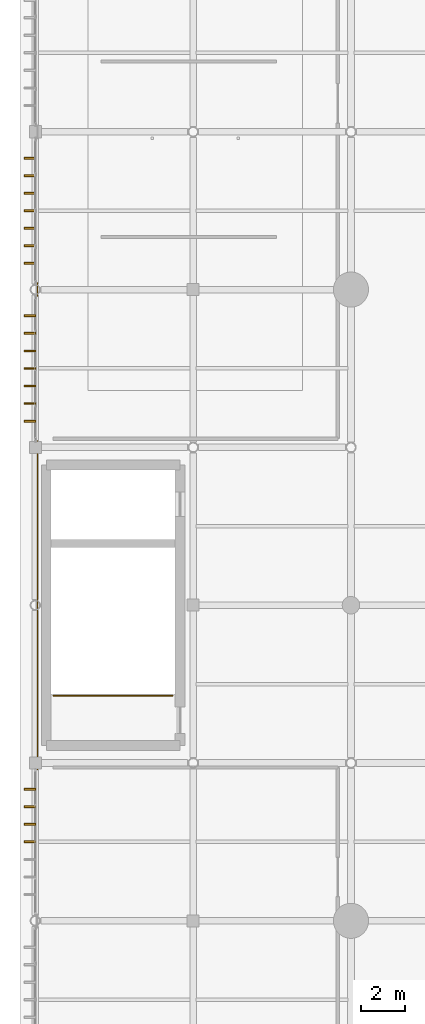
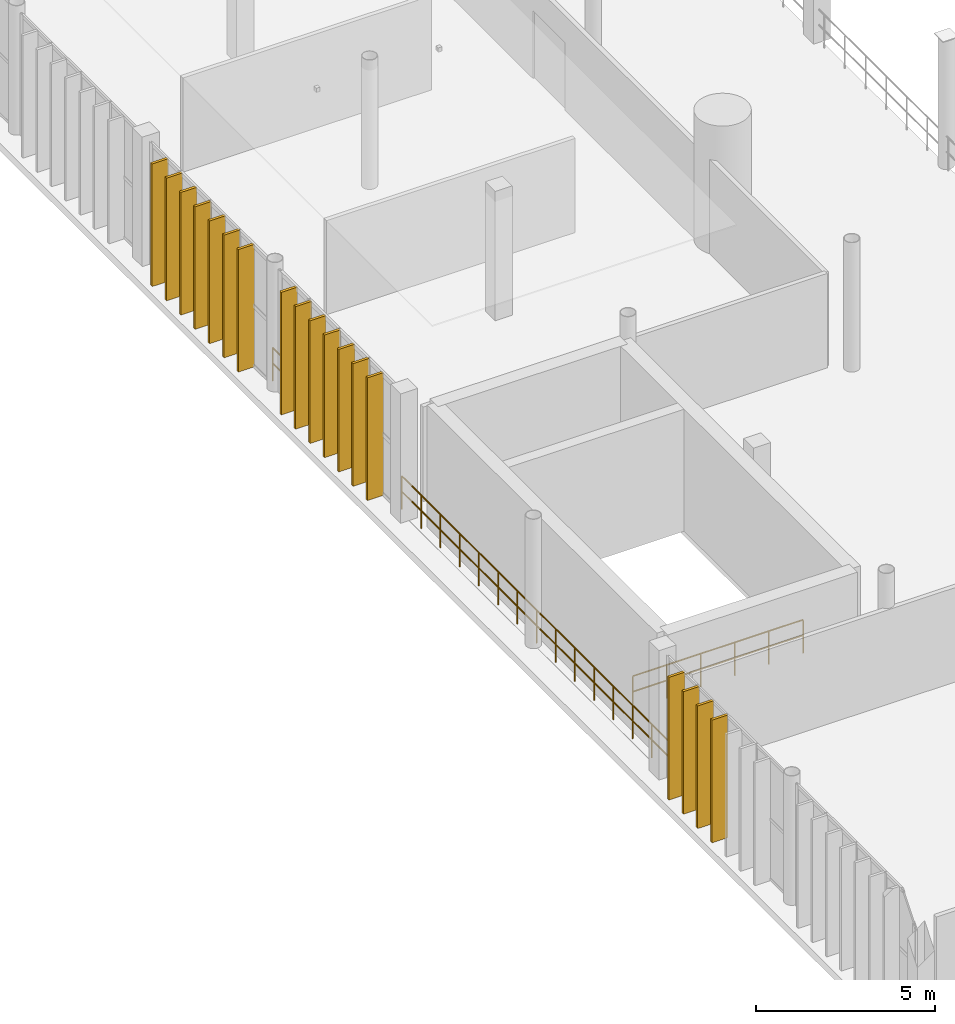
# One storey, part 69 of 81: 18 coverings, 3 railings.
"""IFC4 building model written with IfcOpenShell, lengths in metres."""

from ifc_helpers import new_model, si_unit, direction, frame, origin, origin_2d, place, context, subcontext, project, spatial, rectangle, circle, extrude, material, layer, layer_set, type_object, element, save


model = new_model("IFC4")

# Units and contexts
model_context = context("Model", 3, precision=1e-05, world=origin(), true_north=direction((0.0, 1.0)))
body_context = subcontext(model_context, "Body", "Model", "MODEL_VIEW")
ifc_project = project(units=[si_unit("LENGTHUNIT", "METRE"), si_unit("AREAUNIT", "SQUARE_METRE"), si_unit("VOLUMEUNIT", "CUBIC_METRE"), si_unit("PLANEANGLEUNIT", "RADIAN"), si_unit("MASSUNIT", "GRAM", prefix="KILO")], contexts=[model_context])

# Site, building, storey
site_placement = place(None, origin())
site = spatial("IfcSite", under=ifc_project, at=site_placement, CompositionType="ELEMENT")
building_placement = place(site_placement, origin())
building = spatial("IfcBuilding", under=site, at=building_placement, Name="Qandorah Velis Arena", CompositionType="ELEMENT")
storey_placement = place(building_placement, frame((0.0, 0.0, 18.60009765625)))
storey = spatial("IfcBuildingStorey", under=building, at=storey_placement, Name="L04", CompositionType="ELEMENT", Elevation=18.60009765625)

# Coverings
ifc_material_1 = material(Name="Champagne-bronze anodized aluminium 6063-T6", Category="aluminium")
ifc_layer = layer(ifc_material_1, 0.0849609375)
ifc_layer_set = layer_set([ifc_layer], Name="Champagne-bronze anodized aluminium 6063-T6")
covering_type = type_object("IfcCoveringType", Name="ARC-COV-FIN520", PredefinedType="CLADDING", material=ifc_layer_set)
for number, where, z_axis, x_axis, name in (
    (1, (-0.251953125, 32.39990234375, -0.010009765625), (0.0, 0.0, 1.0), (1.0, 0.0, 0.0), "Vertical champagne-bronze solar fin blade WNG-W-L04-04-004"),
    (2, (-0.251953125, 33.199951171875, -0.010009765625), (0.0, 0.0, 1.0), (1.0, 0.0, 0.0), "Vertical champagne-bronze solar fin blade WNG-W-L04-04-005"),
    (3, (-0.251953125, 34.0, -0.010009765625), (0.0, 0.0, 1.0), (1.0, 0.0, 0.0), "Vertical champagne-bronze solar fin blade WNG-W-L04-04-006"),
    (4, (-0.251953125, 34.800048828125, -0.010009765625), (0.0, 0.0, 1.0), (1.0, 0.0, 0.0), "Vertical champagne-bronze solar fin blade WNG-W-L04-04-007"),
    (5, (-0.251953125, 51.60009765625, -0.010009765625), (0.0, 0.0, 1.0), (1.0, 0.0, 0.0), "Vertical champagne-bronze solar fin blade WNG-W-L04-07-001"),
    (6, (-0.251953125, 52.39990234375, -0.010009765625), (0.0, 0.0, 1.0), (1.0, 0.0, 0.0), "Vertical champagne-bronze solar fin blade WNG-W-L04-07-002"),
    (7, (-0.251953125, 53.199951171875, -0.010009765625), (0.0, 0.0, 1.0), (1.0, 0.0, 0.0), "Vertical champagne-bronze solar fin blade WNG-W-L04-07-003"),
    (8, (-0.251953125, 54.0, -0.010009765625), (0.0, 0.0, 1.0), (1.0, 0.0, 0.0), "Vertical champagne-bronze solar fin blade WNG-W-L04-07-004"),
    (9, (-0.251953125, 54.800048828125, -0.010009765625), (0.0, 0.0, 1.0), (1.0, 0.0, 0.0), "Vertical champagne-bronze solar fin blade WNG-W-L04-07-005"),
    (10, (-0.251953125, 55.60009765625, -0.010009765625), (0.0, 0.0, 1.0), (1.0, 0.0, 0.0), "Vertical champagne-bronze solar fin blade WNG-W-L04-07-006"),
    (11, (-0.251953125, 56.39990234375, -0.010009765625), (0.0, 0.0, 1.0), (1.0, 0.0, 0.0), "Vertical champagne-bronze solar fin blade WNG-W-L04-07-007"),
    (12, (-0.251953125, 58.800048828125, -0.010009765625), (0.0, 0.0, 1.0), (1.0, 0.0, 0.0), "Vertical champagne-bronze solar fin blade WNG-W-L04-08-001"),
    (13, (-0.251953125, 59.60009765625, -0.010009765625), (0.0, 0.0, 1.0), (1.0, 0.0, 0.0), "Vertical champagne-bronze solar fin blade WNG-W-L04-08-002"),
    (14, (-0.251953125, 60.39990234375, -0.010009765625), (0.0, 0.0, 1.0), (1.0, 0.0, 0.0), "Vertical champagne-bronze solar fin blade WNG-W-L04-08-003"),
    (15, (-0.251953125, 61.199951171875, -0.010009765625), (0.0, 0.0, 1.0), (1.0, 0.0, 0.0), "Vertical champagne-bronze solar fin blade WNG-W-L04-08-004"),
    (16, (-0.251953125, 62.0, -0.010009765625), (0.0, 0.0, 1.0), (1.0, 0.0, 0.0), "Vertical champagne-bronze solar fin blade WNG-W-L04-08-005"),
    (17, (-0.251953125, 62.800048828125, -0.010009765625), (0.0, 0.0, 1.0), (1.0, 0.0, 0.0), "Vertical champagne-bronze solar fin blade WNG-W-L04-08-006"),
    (18, (-0.251953125, 63.60009765625, -0.010009765625), (0.0, 0.0, 1.0), (1.0, 0.0, 0.0), "Vertical champagne-bronze solar fin blade WNG-W-L04-08-007"),
):
    element("IfcCovering", number, at=place(storey_placement, frame(where, z_axis=z_axis, x_axis=x_axis)), inside=storey, type_object=covering_type, Name=name, PredefinedType="CLADDING", context=body_context, shape_type="SweptSolid", body=[
        extrude(rectangle(XDim=0.52001953125, YDim=0.0849609375, at=origin_2d()), origin(), (0.0, 0.0, 1.0), 4.169921875),
    ])

# Railings
ifc_material_2 = material(Name="Stainless steel 316", Category="steel")
railing_type = type_object("IfcRailingType", Name="ARC-RL-GRD1150", PredefinedType="GUARDRAIL", material=ifc_material_2)
railing_1_placement = place(storey_placement, frame((0.81005859375, 39.070068359375, 0.0)))
element("IfcRailing", 19, at=railing_1_placement, inside=storey, type_object=railing_type, Name="Stair ST5 top well guardrail L04", PredefinedType="GUARDRAIL", context=body_context, shape_type="SweptSolid", body=[
    extrude(circle(Radius=0.02392578125, at=origin_2d()), frame((0.0, 0.0, 1.1259765625), z_axis=(1.0, 0.0, 0.0), x_axis=(0.0, 1.0, 0.0)), (0.0, 0.0, 1.0), 5.47998046875),
    extrude(circle(Radius=0.02392578125, at=origin_2d()), frame((0.0, 0.0, 0.597900390625), z_axis=(1.0, 0.0, 0.0), x_axis=(0.0, 1.0, 0.0)), (0.0, 0.0, 1.0), 5.47998046875),
    extrude(circle(Radius=0.02099609375, at=origin_2d()), origin(), (0.0, 0.0, 1.0), 1.101806640625),
    extrude(circle(Radius=0.02099609375, at=origin_2d()), frame((1.095947265625, 0.0, 0.0)), (0.0, 0.0, 1.0), 1.101806640625),
    extrude(circle(Radius=0.02099609375, at=origin_2d()), frame((2.19189453125, 0.0, 0.0)), (0.0, 0.0, 1.0), 1.101806640625),
    extrude(circle(Radius=0.02099609375, at=origin_2d()), frame((3.2880859375, 0.0, 0.0)), (0.0, 0.0, 1.0), 1.101806640625),
    extrude(circle(Radius=0.02099609375, at=origin_2d()), frame((4.384033203125, 0.0, 0.0)), (0.0, 0.0, 1.0), 1.101806640625),
    extrude(circle(Radius=0.02099609375, at=origin_2d()), frame((5.47998046875, 0.0, 0.0)), (0.0, 0.0, 1.0), 1.101806640625),
])
railing_2_placement = place(storey_placement, frame((0.10009765625, 35.699951171875, 0.0)))
element("IfcRailing", 20, at=railing_2_placement, inside=storey, type_object=railing_type, Name="Slab edge safety guardrail L04-240", PredefinedType="GUARDRAIL", context=body_context, shape_type="SweptSolid", body=[
    extrude(circle(Radius=0.02392578125, at=origin_2d()), frame((0.0, 0.0, 1.1259765625), z_axis=(0.0, 1.0, 0.0), x_axis=(-1.0, 0.0, 0.0)), (0.0, 0.0, 1.0), 15.0),
    extrude(circle(Radius=0.02392578125, at=origin_2d()), frame((0.0, 0.0, 0.597900390625), z_axis=(0.0, 1.0, 0.0), x_axis=(-1.0, 0.0, 0.0)), (0.0, 0.0, 1.0), 15.0),
    extrude(circle(Radius=0.02099609375, at=origin_2d()), origin(), (0.0, 0.0, 1.0), 1.101806640625),
    extrude(circle(Radius=0.02099609375, at=origin_2d()), frame((0.0, 1.071533203125, 0.0)), (0.0, 0.0, 1.0), 1.101806640625),
    extrude(circle(Radius=0.02099609375, at=origin_2d()), frame((0.0, 2.142822265625, 0.0)), (0.0, 0.0, 1.0), 1.101806640625),
    extrude(circle(Radius=0.02099609375, at=origin_2d()), frame((0.0, 3.21435546875, 0.0)), (0.0, 0.0, 1.0), 1.101806640625),
    extrude(circle(Radius=0.02099609375, at=origin_2d()), frame((0.0, 4.28564453125, 0.0)), (0.0, 0.0, 1.0), 1.101806640625),
    extrude(circle(Radius=0.02099609375, at=origin_2d()), frame((0.0, 5.357177734375, 0.0)), (0.0, 0.0, 1.0), 1.101806640625),
    extrude(circle(Radius=0.02099609375, at=origin_2d()), frame((0.0, 6.428466796875, 0.0)), (0.0, 0.0, 1.0), 1.101806640625),
    extrude(circle(Radius=0.02099609375, at=origin_2d()), frame((0.0, 7.5, 0.0)), (0.0, 0.0, 1.0), 1.101806640625),
    extrude(circle(Radius=0.02099609375, at=origin_2d()), frame((0.0, 8.571533203125, 0.0)), (0.0, 0.0, 1.0), 1.101806640625),
    extrude(circle(Radius=0.02099609375, at=origin_2d()), frame((0.0, 9.642822265625, 0.0)), (0.0, 0.0, 1.0), 1.101806640625),
    extrude(circle(Radius=0.02099609375, at=origin_2d()), frame((0.0, 10.71435546875, 0.0)), (0.0, 0.0, 1.0), 1.101806640625),
    extrude(circle(Radius=0.02099609375, at=origin_2d()), frame((0.0, 11.78564453125, 0.0)), (0.0, 0.0, 1.0), 1.101806640625),
    extrude(circle(Radius=0.02099609375, at=origin_2d()), frame((0.0, 12.857177734375, 0.0)), (0.0, 0.0, 1.0), 1.101806640625),
    extrude(circle(Radius=0.02099609375, at=origin_2d()), frame((0.0, 13.928466796875, 0.0)), (0.0, 0.0, 1.0), 1.101806640625),
    extrude(circle(Radius=0.02099609375, at=origin_2d()), frame((0.0, 15.0, 0.0)), (0.0, 0.0, 1.0), 1.101806640625),
])
railing_3_placement = place(storey_placement, frame((0.10009765625, 57.300048828125, 0.0)))
element("IfcRailing", 21, at=railing_3_placement, inside=storey, type_object=railing_type, Name="Slab edge safety guardrail L04-241", PredefinedType="GUARDRAIL", context=body_context, shape_type="SweptSolid", body=[
    extrude(circle(Radius=0.02392578125, at=origin_2d()), frame((0.0, 0.0, 1.1259765625), z_axis=(0.0, 1.0, 0.0), x_axis=(-1.0, 0.0, 0.0)), (0.0, 0.0, 1.0), 0.599853515625),
    extrude(circle(Radius=0.02392578125, at=origin_2d()), frame((0.0, 0.0, 0.597900390625), z_axis=(0.0, 1.0, 0.0), x_axis=(-1.0, 0.0, 0.0)), (0.0, 0.0, 1.0), 0.599853515625),
    extrude(circle(Radius=0.02099609375, at=origin_2d()), origin(), (0.0, 0.0, 1.0), 1.101806640625),
    extrude(circle(Radius=0.02099609375, at=origin_2d()), frame((0.0, 0.599853515625, 0.0)), (0.0, 0.0, 1.0), 1.101806640625),
])

save(model, "model.ifc")
